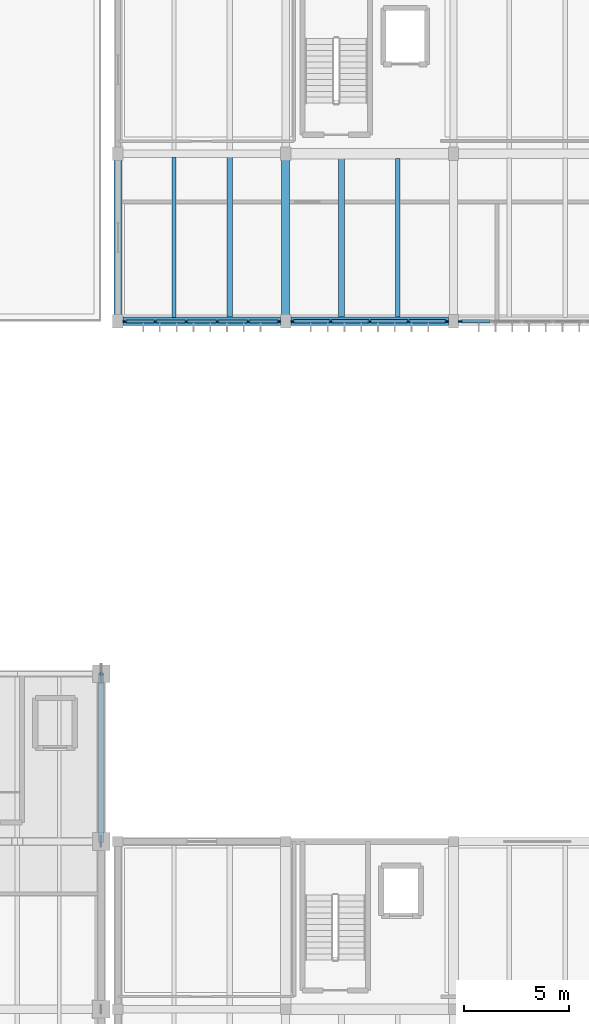
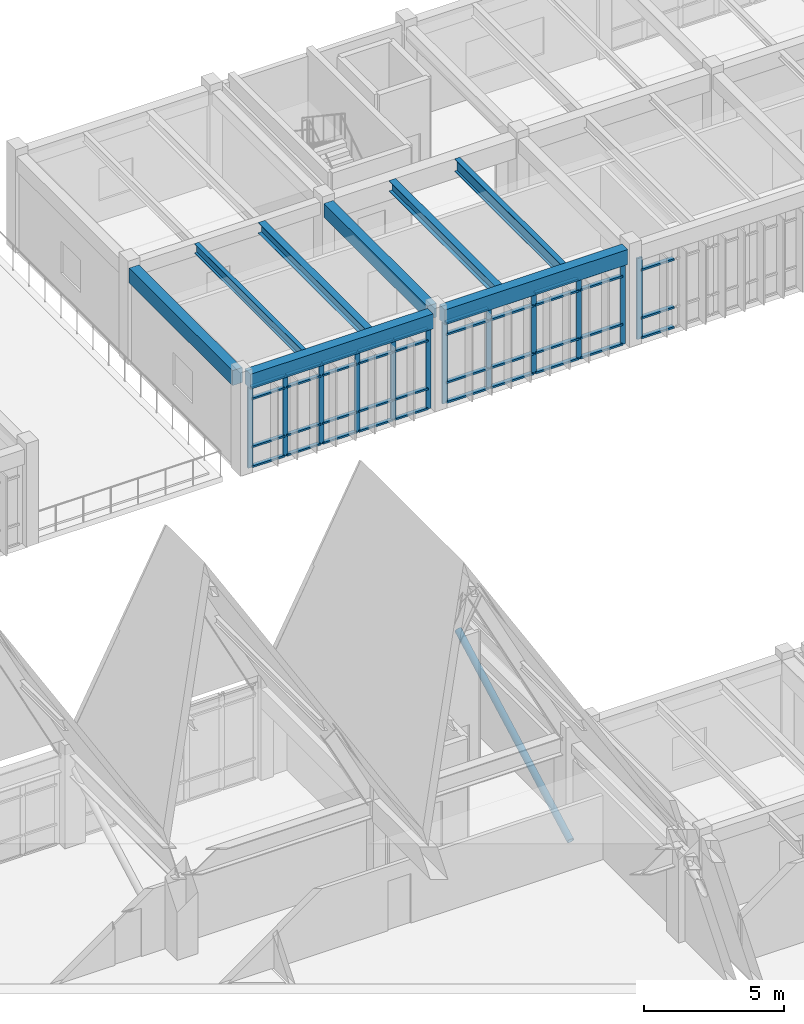
# One storey, part 21 of 72: 52 members, 8 beams, 3 elements without a shape of their own.
"""IFC4 building model written with IfcOpenShell, lengths in metres."""

from ifc_helpers import new_model, si_unit, direction, frame, origin, origin_2d, place, context, subcontext, project, spatial, rectangle, hollow_circle, i_section, extrude, material, material_profile, profile_set, type_object, element, aggregate, save


model = new_model("IFC4")

# Units and contexts
model_context = context("Model", 3, precision=1e-05, world=origin(), true_north=direction((0.0, 1.0)))
body_context = subcontext(model_context, "Body", "Model", "MODEL_VIEW")
ifc_project = project(units=[si_unit("LENGTHUNIT", "METRE"), si_unit("AREAUNIT", "SQUARE_METRE"), si_unit("VOLUMEUNIT", "CUBIC_METRE"), si_unit("PLANEANGLEUNIT", "RADIAN"), si_unit("MASSUNIT", "GRAM", prefix="KILO")], contexts=[model_context])

# Site, building, storey
site_placement = place(None, origin())
site = spatial("IfcSite", under=ifc_project, at=site_placement, CompositionType="ELEMENT")
building_placement = place(site_placement, origin())
building = spatial("IfcBuilding", under=site, at=building_placement, Name="Tlaxcora Railside Police Headquarters", CompositionType="ELEMENT")
storey_placement = place(building_placement, frame((0.0, 0.0, 13.5)))
storey = spatial("IfcBuildingStorey", under=building, at=storey_placement, Name="L03", CompositionType="ELEMENT", Elevation=13.5)

# Curtain wall, member
ifc_material_1 = material(Name="Thermally broken low-E insulated glazing", Category="glass")
curtain_wall_type_1 = type_object("IfcCurtainWallType", Name="Unitised Curtain Wall Assembly CW-23", PredefinedType="NOTDEFINED", material=ifc_material_1)
curtain_wall_1_placement = place(storey_placement, origin())
curtain_wall_1 = element("IfcCurtainWall", 1, at=curtain_wall_1_placement, inside=storey, type_object=curtain_wall_type_1, Name="V6 L03 curtain wall 164", PredefinedType="NOTDEFINED")
ifc_material_2 = material(Name="Anodised aluminium framing", Category="aluminium")
ifc_material_profile_1 = material_profile(ifc_material_2, rectangle(XDim=0.080078125, YDim=0.219970703125, at=origin_2d()), Name="AL80X220")
ifc_profile_set_1 = profile_set([ifc_material_profile_1], Name="Anodised aluminium framing")
member_type_1 = type_object("IfcMemberType", Name="Curtain Wall Mullion CW-31", PredefinedType="MULLION", material=ifc_profile_set_1)
member_1_placement = place(storey_placement, frame((119.139892578125, 76.800048828125, 0.0), z_axis=(0.0, 0.0, 1.0), x_axis=(0.0, 1.0, 0.0)))
member_1 = element("IfcMember", 2, at=member_1_placement, type_object=member_type_1, Name="CW mullion 1", PredefinedType="MULLION", context=body_context, shape_type="SweptSolid", body=[
    extrude(rectangle(XDim=0.080078125, YDim=0.219970703125, at=origin_2d()), origin(), (0.0, 0.0, 1.0), 3.52001953125),
])

# Curtain wall, members
curtain_wall_type_2 = type_object("IfcCurtainWallType", Name="Unitised Curtain Wall Assembly CW-15", PredefinedType="NOTDEFINED", material=ifc_material_1)
curtain_wall_2_placement = place(storey_placement, origin())
curtain_wall_2 = element("IfcCurtainWall", 3, at=curtain_wall_2_placement, inside=storey, type_object=curtain_wall_type_2, Name="V6 L03 curtain wall 162", PredefinedType="NOTDEFINED")
ifc_material_profile_2 = material_profile(ifc_material_2, rectangle(XDim=0.074951171875, YDim=0.199951171875, at=origin_2d()), Name="AL75X200")
ifc_profile_set_2 = profile_set([ifc_material_profile_2], Name="Anodised aluminium framing")
member_type_2 = type_object("IfcMemberType", Name="Curtain Wall Mullion CW-58", PredefinedType="MULLION", material=ifc_profile_set_2)
member_2_placement = place(storey_placement, frame((103.137451171875, 76.800048828125, 0.0), z_axis=(0.0, 0.0, 1.0), x_axis=(0.0, 1.0, 0.0)))
member_2 = element("IfcMember", 4, at=member_2_placement, type_object=member_type_2, Name="CW mullion 1", PredefinedType="MULLION", context=body_context, shape_type="SweptSolid", body=[
    extrude(rectangle(XDim=0.074951171875, YDim=0.199951171875, at=origin_2d()), origin(), (0.0, 0.0, 1.0), 3.52001953125),
])
member_3_placement = place(storey_placement, frame((104.580078125, 76.800048828125, 0.0), z_axis=(0.0, 0.0, 1.0), x_axis=(0.0, 1.0, 0.0)))
member_3 = element("IfcMember", 5, at=member_3_placement, type_object=member_type_2, Name="CW mullion 2", PredefinedType="MULLION", context=body_context, shape_type="SweptSolid", body=[
    extrude(rectangle(XDim=0.074951171875, YDim=0.199951171875, at=origin_2d()), origin(), (0.0, 0.0, 1.0), 3.52001953125),
])
member_4_placement = place(storey_placement, frame((106.06005859375, 76.800048828125, 0.0), z_axis=(0.0, 0.0, 1.0), x_axis=(0.0, 1.0, 0.0)))
member_4 = element("IfcMember", 6, at=member_4_placement, type_object=member_type_2, Name="CW mullion 3", PredefinedType="MULLION", context=body_context, shape_type="SweptSolid", body=[
    extrude(rectangle(XDim=0.074951171875, YDim=0.199951171875, at=origin_2d()), origin(), (0.0, 0.0, 1.0), 3.52001953125),
])
member_5_placement = place(storey_placement, frame((107.5400390625, 76.800048828125, 0.0), z_axis=(0.0, 0.0, 1.0), x_axis=(0.0, 1.0, 0.0)))
member_5 = element("IfcMember", 7, at=member_5_placement, type_object=member_type_2, Name="CW mullion 4", PredefinedType="MULLION", context=body_context, shape_type="SweptSolid", body=[
    extrude(rectangle(XDim=0.074951171875, YDim=0.199951171875, at=origin_2d()), origin(), (0.0, 0.0, 1.0), 3.52001953125),
])
member_6_placement = place(storey_placement, frame((109.02001953125, 76.800048828125, 0.0), z_axis=(0.0, 0.0, 1.0), x_axis=(0.0, 1.0, 0.0)))
member_6 = element("IfcMember", 8, at=member_6_placement, type_object=member_type_2, Name="CW mullion 5", PredefinedType="MULLION", context=body_context, shape_type="SweptSolid", body=[
    extrude(rectangle(XDim=0.074951171875, YDim=0.199951171875, at=origin_2d()), origin(), (0.0, 0.0, 1.0), 3.52001953125),
])
member_7_placement = place(storey_placement, frame((110.46240234375, 76.800048828125, 0.0), z_axis=(0.0, 0.0, 1.0), x_axis=(0.0, 1.0, 0.0)))
member_7 = element("IfcMember", 9, at=member_7_placement, type_object=member_type_2, Name="CW mullion 6", PredefinedType="MULLION", context=body_context, shape_type="SweptSolid", body=[
    extrude(rectangle(XDim=0.074951171875, YDim=0.199951171875, at=origin_2d()), origin(), (0.0, 0.0, 1.0), 3.52001953125),
])

curtain_wall_type_3 = type_object("IfcCurtainWallType", Name="Unitised Curtain Wall Assembly CW-83", PredefinedType="NOTDEFINED", material=ifc_material_1)
curtain_wall_3_placement = place(storey_placement, origin())
curtain_wall_3 = element("IfcCurtainWall", 10, at=curtain_wall_3_placement, inside=storey, type_object=curtain_wall_type_3, Name="V6 L03 curtain wall 163", PredefinedType="NOTDEFINED")
ifc_material_profile_3 = material_profile(ifc_material_2, rectangle(XDim=0.080078125, YDim=0.2099609375, at=origin_2d()), Name="AL80X210")
ifc_profile_set_3 = profile_set([ifc_material_profile_3], Name="Anodised aluminium framing")
member_type_3 = type_object("IfcMemberType", Name="Curtain Wall Mullion CW-76", PredefinedType="MULLION", material=ifc_profile_set_3)
member_8_placement = place(storey_placement, frame((111.139892578125, 76.800048828125, 0.0), z_axis=(0.0, 0.0, 1.0), x_axis=(0.0, 1.0, 0.0)))
member_8 = element("IfcMember", 11, at=member_8_placement, type_object=member_type_3, Name="CW mullion 1", PredefinedType="MULLION", context=body_context, shape_type="SweptSolid", body=[
    extrude(rectangle(XDim=0.080078125, YDim=0.2099609375, at=origin_2d()), origin(), (0.0, 0.0, 1.0), 3.52001953125),
])
member_9_placement = place(storey_placement, frame((112.949951171875, 76.800048828125, 0.0), z_axis=(0.0, 0.0, 1.0), x_axis=(0.0, 1.0, 0.0)))
member_9 = element("IfcMember", 12, at=member_9_placement, type_object=member_type_3, Name="CW mullion 2", PredefinedType="MULLION", context=body_context, shape_type="SweptSolid", body=[
    extrude(rectangle(XDim=0.080078125, YDim=0.2099609375, at=origin_2d()), origin(), (0.0, 0.0, 1.0), 3.52001953125),
])
member_10_placement = place(storey_placement, frame((114.800048828125, 76.800048828125, 0.0), z_axis=(0.0, 0.0, 1.0), x_axis=(0.0, 1.0, 0.0)))
member_10 = element("IfcMember", 13, at=member_10_placement, type_object=member_type_3, Name="CW mullion 3", PredefinedType="MULLION", context=body_context, shape_type="SweptSolid", body=[
    extrude(rectangle(XDim=0.080078125, YDim=0.2099609375, at=origin_2d()), origin(), (0.0, 0.0, 1.0), 3.52001953125),
])
member_11_placement = place(storey_placement, frame((116.64990234375, 76.800048828125, 0.0), z_axis=(0.0, 0.0, 1.0), x_axis=(0.0, 1.0, 0.0)))
member_11 = element("IfcMember", 14, at=member_11_placement, type_object=member_type_3, Name="CW mullion 4", PredefinedType="MULLION", context=body_context, shape_type="SweptSolid", body=[
    extrude(rectangle(XDim=0.080078125, YDim=0.2099609375, at=origin_2d()), origin(), (0.0, 0.0, 1.0), 3.52001953125),
])
member_12_placement = place(storey_placement, frame((118.4599609375, 76.800048828125, 0.0), z_axis=(0.0, 0.0, 1.0), x_axis=(0.0, 1.0, 0.0)))
member_12 = element("IfcMember", 15, at=member_12_placement, type_object=member_type_3, Name="CW mullion 5", PredefinedType="MULLION", context=body_context, shape_type="SweptSolid", body=[
    extrude(rectangle(XDim=0.080078125, YDim=0.2099609375, at=origin_2d()), origin(), (0.0, 0.0, 1.0), 3.52001953125),
])

# Member
ifc_material_profile_4 = material_profile(ifc_material_2, rectangle(XDim=0.14990234375, YDim=0.074951171875, at=origin_2d()), Name="AL75X150")
ifc_profile_set_4 = profile_set([ifc_material_profile_4], Name="Anodised aluminium framing")
member_type_4 = type_object("IfcMemberType", Name="Curtain Wall Transom CW-28", PredefinedType="USERDEFINED", material=ifc_profile_set_4)
member_13_placement = place(storey_placement, frame((103.175048828125, 76.800048828125, 0.03759765625), z_axis=(1.0, 0.0, 0.0), x_axis=(0.0, 1.0, 0.0)))
member_13 = element("IfcMember", 16, at=member_13_placement, type_object=member_type_4, Name="CW transom 1.1", ObjectType="TRANSOM", PredefinedType="USERDEFINED", context=body_context, shape_type="SweptSolid", body=[
    extrude(rectangle(XDim=0.14990234375, YDim=0.074951171875, at=origin_2d()), origin(), (0.0, 0.0, 1.0), 1.367431640625),
])

member_14_placement = place(storey_placement, frame((103.175048828125, 76.800048828125, 0.89990234375), z_axis=(1.0, 0.0, 0.0), x_axis=(0.0, 1.0, 0.0)))
member_14 = element("IfcMember", 17, at=member_14_placement, type_object=member_type_4, Name="CW transom 1.2", ObjectType="TRANSOM", PredefinedType="USERDEFINED", context=body_context, shape_type="SweptSolid", body=[
    extrude(rectangle(XDim=0.14990234375, YDim=0.074951171875, at=origin_2d()), origin(), (0.0, 0.0, 1.0), 1.367431640625),
])

member_15_placement = place(storey_placement, frame((103.175048828125, 76.800048828125, 2.989990234375), z_axis=(1.0, 0.0, 0.0), x_axis=(0.0, 1.0, 0.0)))
member_15 = element("IfcMember", 18, at=member_15_placement, type_object=member_type_4, Name="CW transom 1.3", ObjectType="TRANSOM", PredefinedType="USERDEFINED", context=body_context, shape_type="SweptSolid", body=[
    extrude(rectangle(XDim=0.14990234375, YDim=0.074951171875, at=origin_2d()), origin(), (0.0, 0.0, 1.0), 1.367431640625),
])

member_16_placement = place(storey_placement, frame((103.175048828125, 76.800048828125, 3.482421875), z_axis=(1.0, 0.0, 0.0), x_axis=(0.0, 1.0, 0.0)))
member_16 = element("IfcMember", 19, at=member_16_placement, type_object=member_type_4, Name="CW transom 1.4", ObjectType="TRANSOM", PredefinedType="USERDEFINED", context=body_context, shape_type="SweptSolid", body=[
    extrude(rectangle(XDim=0.14990234375, YDim=0.074951171875, at=origin_2d()), origin(), (0.0, 0.0, 1.0), 1.367431640625),
])

member_17_placement = place(storey_placement, frame((104.617431640625, 76.800048828125, 0.03759765625), z_axis=(1.0, 0.0, 0.0), x_axis=(0.0, 1.0, 0.0)))
member_17 = element("IfcMember", 20, at=member_17_placement, type_object=member_type_4, Name="CW transom 2.1", ObjectType="TRANSOM", PredefinedType="USERDEFINED", context=body_context, shape_type="SweptSolid", body=[
    extrude(rectangle(XDim=0.14990234375, YDim=0.074951171875, at=origin_2d()), origin(), (0.0, 0.0, 1.0), 1.405029296875),
])

member_18_placement = place(storey_placement, frame((104.617431640625, 76.800048828125, 0.89990234375), z_axis=(1.0, 0.0, 0.0), x_axis=(0.0, 1.0, 0.0)))
member_18 = element("IfcMember", 21, at=member_18_placement, type_object=member_type_4, Name="CW transom 2.2", ObjectType="TRANSOM", PredefinedType="USERDEFINED", context=body_context, shape_type="SweptSolid", body=[
    extrude(rectangle(XDim=0.14990234375, YDim=0.074951171875, at=origin_2d()), origin(), (0.0, 0.0, 1.0), 1.405029296875),
])

member_19_placement = place(storey_placement, frame((104.617431640625, 76.800048828125, 2.989990234375), z_axis=(1.0, 0.0, 0.0), x_axis=(0.0, 1.0, 0.0)))
member_19 = element("IfcMember", 22, at=member_19_placement, type_object=member_type_4, Name="CW transom 2.3", ObjectType="TRANSOM", PredefinedType="USERDEFINED", context=body_context, shape_type="SweptSolid", body=[
    extrude(rectangle(XDim=0.14990234375, YDim=0.074951171875, at=origin_2d()), origin(), (0.0, 0.0, 1.0), 1.405029296875),
])

member_20_placement = place(storey_placement, frame((104.617431640625, 76.800048828125, 3.482421875), z_axis=(1.0, 0.0, 0.0), x_axis=(0.0, 1.0, 0.0)))
member_20 = element("IfcMember", 23, at=member_20_placement, type_object=member_type_4, Name="CW transom 2.4", ObjectType="TRANSOM", PredefinedType="USERDEFINED", context=body_context, shape_type="SweptSolid", body=[
    extrude(rectangle(XDim=0.14990234375, YDim=0.074951171875, at=origin_2d()), origin(), (0.0, 0.0, 1.0), 1.405029296875),
])

member_21_placement = place(storey_placement, frame((106.097412109375, 76.800048828125, 0.03759765625), z_axis=(1.0, 0.0, 0.0), x_axis=(0.0, 1.0, 0.0)))
member_21 = element("IfcMember", 24, at=member_21_placement, type_object=member_type_4, Name="CW transom 3.1", ObjectType="TRANSOM", PredefinedType="USERDEFINED", context=body_context, shape_type="SweptSolid", body=[
    extrude(rectangle(XDim=0.14990234375, YDim=0.074951171875, at=origin_2d()), origin(), (0.0, 0.0, 1.0), 1.405029296875),
])

member_22_placement = place(storey_placement, frame((106.097412109375, 76.800048828125, 0.89990234375), z_axis=(1.0, 0.0, 0.0), x_axis=(0.0, 1.0, 0.0)))
member_22 = element("IfcMember", 25, at=member_22_placement, type_object=member_type_4, Name="CW transom 3.2", ObjectType="TRANSOM", PredefinedType="USERDEFINED", context=body_context, shape_type="SweptSolid", body=[
    extrude(rectangle(XDim=0.14990234375, YDim=0.074951171875, at=origin_2d()), origin(), (0.0, 0.0, 1.0), 1.405029296875),
])

member_23_placement = place(storey_placement, frame((106.097412109375, 76.800048828125, 2.989990234375), z_axis=(1.0, 0.0, 0.0), x_axis=(0.0, 1.0, 0.0)))
member_23 = element("IfcMember", 26, at=member_23_placement, type_object=member_type_4, Name="CW transom 3.3", ObjectType="TRANSOM", PredefinedType="USERDEFINED", context=body_context, shape_type="SweptSolid", body=[
    extrude(rectangle(XDim=0.14990234375, YDim=0.074951171875, at=origin_2d()), origin(), (0.0, 0.0, 1.0), 1.405029296875),
])

member_24_placement = place(storey_placement, frame((106.097412109375, 76.800048828125, 3.482421875), z_axis=(1.0, 0.0, 0.0), x_axis=(0.0, 1.0, 0.0)))
member_24 = element("IfcMember", 27, at=member_24_placement, type_object=member_type_4, Name="CW transom 3.4", ObjectType="TRANSOM", PredefinedType="USERDEFINED", context=body_context, shape_type="SweptSolid", body=[
    extrude(rectangle(XDim=0.14990234375, YDim=0.074951171875, at=origin_2d()), origin(), (0.0, 0.0, 1.0), 1.405029296875),
])

member_25_placement = place(storey_placement, frame((107.577392578125, 76.800048828125, 0.03759765625), z_axis=(1.0, 0.0, 0.0), x_axis=(0.0, 1.0, 0.0)))
member_25 = element("IfcMember", 28, at=member_25_placement, type_object=member_type_4, Name="CW transom 4.1", ObjectType="TRANSOM", PredefinedType="USERDEFINED", context=body_context, shape_type="SweptSolid", body=[
    extrude(rectangle(XDim=0.14990234375, YDim=0.074951171875, at=origin_2d()), origin(), (0.0, 0.0, 1.0), 1.405029296875),
])

member_26_placement = place(storey_placement, frame((107.577392578125, 76.800048828125, 0.89990234375), z_axis=(1.0, 0.0, 0.0), x_axis=(0.0, 1.0, 0.0)))
member_26 = element("IfcMember", 29, at=member_26_placement, type_object=member_type_4, Name="CW transom 4.2", ObjectType="TRANSOM", PredefinedType="USERDEFINED", context=body_context, shape_type="SweptSolid", body=[
    extrude(rectangle(XDim=0.14990234375, YDim=0.074951171875, at=origin_2d()), origin(), (0.0, 0.0, 1.0), 1.405029296875),
])

member_27_placement = place(storey_placement, frame((107.577392578125, 76.800048828125, 2.989990234375), z_axis=(1.0, 0.0, 0.0), x_axis=(0.0, 1.0, 0.0)))
member_27 = element("IfcMember", 30, at=member_27_placement, type_object=member_type_4, Name="CW transom 4.3", ObjectType="TRANSOM", PredefinedType="USERDEFINED", context=body_context, shape_type="SweptSolid", body=[
    extrude(rectangle(XDim=0.14990234375, YDim=0.074951171875, at=origin_2d()), origin(), (0.0, 0.0, 1.0), 1.405029296875),
])

member_28_placement = place(storey_placement, frame((107.577392578125, 76.800048828125, 3.482421875), z_axis=(1.0, 0.0, 0.0), x_axis=(0.0, 1.0, 0.0)))
member_28 = element("IfcMember", 31, at=member_28_placement, type_object=member_type_4, Name="CW transom 4.4", ObjectType="TRANSOM", PredefinedType="USERDEFINED", context=body_context, shape_type="SweptSolid", body=[
    extrude(rectangle(XDim=0.14990234375, YDim=0.074951171875, at=origin_2d()), origin(), (0.0, 0.0, 1.0), 1.405029296875),
])

member_29_placement = place(storey_placement, frame((109.0576171875, 76.800048828125, 0.03759765625), z_axis=(1.0, 0.0, 0.0), x_axis=(0.0, 1.0, 0.0)))
member_29 = element("IfcMember", 32, at=member_29_placement, type_object=member_type_4, Name="CW transom 5.1", ObjectType="TRANSOM", PredefinedType="USERDEFINED", context=body_context, shape_type="SweptSolid", body=[
    extrude(rectangle(XDim=0.14990234375, YDim=0.074951171875, at=origin_2d()), origin(), (0.0, 0.0, 1.0), 1.367431640625),
])

member_30_placement = place(storey_placement, frame((109.0576171875, 76.800048828125, 0.89990234375), z_axis=(1.0, 0.0, 0.0), x_axis=(0.0, 1.0, 0.0)))
member_30 = element("IfcMember", 33, at=member_30_placement, type_object=member_type_4, Name="CW transom 5.2", ObjectType="TRANSOM", PredefinedType="USERDEFINED", context=body_context, shape_type="SweptSolid", body=[
    extrude(rectangle(XDim=0.14990234375, YDim=0.074951171875, at=origin_2d()), origin(), (0.0, 0.0, 1.0), 1.367431640625),
])

member_31_placement = place(storey_placement, frame((109.0576171875, 76.800048828125, 2.989990234375), z_axis=(1.0, 0.0, 0.0), x_axis=(0.0, 1.0, 0.0)))
member_31 = element("IfcMember", 34, at=member_31_placement, type_object=member_type_4, Name="CW transom 5.3", ObjectType="TRANSOM", PredefinedType="USERDEFINED", context=body_context, shape_type="SweptSolid", body=[
    extrude(rectangle(XDim=0.14990234375, YDim=0.074951171875, at=origin_2d()), origin(), (0.0, 0.0, 1.0), 1.367431640625),
])

member_32_placement = place(storey_placement, frame((109.0576171875, 76.800048828125, 3.482421875), z_axis=(1.0, 0.0, 0.0), x_axis=(0.0, 1.0, 0.0)))
member_32 = element("IfcMember", 35, at=member_32_placement, type_object=member_type_4, Name="CW transom 5.4", ObjectType="TRANSOM", PredefinedType="USERDEFINED", context=body_context, shape_type="SweptSolid", body=[
    extrude(rectangle(XDim=0.14990234375, YDim=0.074951171875, at=origin_2d()), origin(), (0.0, 0.0, 1.0), 1.367431640625),
])

aggregate(curtain_wall_2, [member_2, member_3, member_4, member_5, member_6, member_7, member_13, member_14, member_15, member_16, member_17, member_18, member_19, member_20, member_21, member_22, member_23, member_24, member_25, member_26, member_27, member_28, member_29, member_30, member_31, member_32])

ifc_material_profile_5 = material_profile(ifc_material_2, rectangle(XDim=0.1650390625, YDim=0.080078125, at=origin_2d()), Name="AL80X165")
ifc_profile_set_5 = profile_set([ifc_material_profile_5], Name="Anodised aluminium framing")
member_type_5 = type_object("IfcMemberType", Name="Curtain Wall Transom CW-62", PredefinedType="USERDEFINED", material=ifc_profile_set_5)
member_33_placement = place(storey_placement, frame((119.179931640625, 76.800048828125, 0.0400390625), z_axis=(1.0, 0.0, 0.0), x_axis=(0.0, 1.0, 0.0)))
member_33 = element("IfcMember", 36, at=member_33_placement, type_object=member_type_5, Name="CW transom 1.1", ObjectType="TRANSOM", PredefinedType="USERDEFINED", context=body_context, shape_type="SweptSolid", body=[
    extrude(rectangle(XDim=0.1650390625, YDim=0.080078125, at=origin_2d()), origin(), (0.0, 0.0, 1.0), 1.360107421875),
])

member_34_placement = place(storey_placement, frame((119.179931640625, 76.800048828125, 0.89990234375), z_axis=(1.0, 0.0, 0.0), x_axis=(0.0, 1.0, 0.0)))
member_34 = element("IfcMember", 37, at=member_34_placement, type_object=member_type_5, Name="CW transom 1.2", ObjectType="TRANSOM", PredefinedType="USERDEFINED", context=body_context, shape_type="SweptSolid", body=[
    extrude(rectangle(XDim=0.1650390625, YDim=0.080078125, at=origin_2d()), origin(), (0.0, 0.0, 1.0), 1.360107421875),
])

member_35_placement = place(storey_placement, frame((119.179931640625, 76.800048828125, 2.989990234375), z_axis=(1.0, 0.0, 0.0), x_axis=(0.0, 1.0, 0.0)))
member_35 = element("IfcMember", 38, at=member_35_placement, type_object=member_type_5, Name="CW transom 1.3", ObjectType="TRANSOM", PredefinedType="USERDEFINED", context=body_context, shape_type="SweptSolid", body=[
    extrude(rectangle(XDim=0.1650390625, YDim=0.080078125, at=origin_2d()), origin(), (0.0, 0.0, 1.0), 1.360107421875),
])

aggregate(curtain_wall_1, [member_1, member_33, member_34, member_35])

ifc_material_profile_6 = material_profile(ifc_material_2, rectangle(XDim=0.159912109375, YDim=0.080078125, at=origin_2d()), Name="AL80X160")
ifc_profile_set_6 = profile_set([ifc_material_profile_6], Name="Anodised aluminium framing")
member_type_6 = type_object("IfcMemberType", Name="Curtain Wall Transom CW-82", PredefinedType="USERDEFINED", material=ifc_profile_set_6)
member_36_placement = place(storey_placement, frame((111.179931640625, 76.800048828125, 0.0400390625), z_axis=(1.0, 0.0, 0.0), x_axis=(0.0, 1.0, 0.0)))
member_36 = element("IfcMember", 39, at=member_36_placement, type_object=member_type_6, Name="CW transom 1.1", ObjectType="TRANSOM", PredefinedType="USERDEFINED", context=body_context, shape_type="SweptSolid", body=[
    extrude(rectangle(XDim=0.159912109375, YDim=0.080078125, at=origin_2d()), origin(), (0.0, 0.0, 1.0), 1.72998046875),
])

member_37_placement = place(storey_placement, frame((111.179931640625, 76.800048828125, 0.89990234375), z_axis=(1.0, 0.0, 0.0), x_axis=(0.0, 1.0, 0.0)))
member_37 = element("IfcMember", 40, at=member_37_placement, type_object=member_type_6, Name="CW transom 1.2", ObjectType="TRANSOM", PredefinedType="USERDEFINED", context=body_context, shape_type="SweptSolid", body=[
    extrude(rectangle(XDim=0.159912109375, YDim=0.080078125, at=origin_2d()), origin(), (0.0, 0.0, 1.0), 1.72998046875),
])

member_38_placement = place(storey_placement, frame((111.179931640625, 76.800048828125, 2.989990234375), z_axis=(1.0, 0.0, 0.0), x_axis=(0.0, 1.0, 0.0)))
member_38 = element("IfcMember", 41, at=member_38_placement, type_object=member_type_6, Name="CW transom 1.3", ObjectType="TRANSOM", PredefinedType="USERDEFINED", context=body_context, shape_type="SweptSolid", body=[
    extrude(rectangle(XDim=0.159912109375, YDim=0.080078125, at=origin_2d()), origin(), (0.0, 0.0, 1.0), 1.72998046875),
])

member_39_placement = place(storey_placement, frame((111.179931640625, 76.800048828125, 3.47998046875), z_axis=(1.0, 0.0, 0.0), x_axis=(0.0, 1.0, 0.0)))
member_39 = element("IfcMember", 42, at=member_39_placement, type_object=member_type_6, Name="CW transom 1.4", ObjectType="TRANSOM", PredefinedType="USERDEFINED", context=body_context, shape_type="SweptSolid", body=[
    extrude(rectangle(XDim=0.159912109375, YDim=0.080078125, at=origin_2d()), origin(), (0.0, 0.0, 1.0), 1.72998046875),
])

member_40_placement = place(storey_placement, frame((112.989990234375, 76.800048828125, 0.0400390625), z_axis=(1.0, 0.0, 0.0), x_axis=(0.0, 1.0, 0.0)))
member_40 = element("IfcMember", 43, at=member_40_placement, type_object=member_type_6, Name="CW transom 2.1", ObjectType="TRANSOM", PredefinedType="USERDEFINED", context=body_context, shape_type="SweptSolid", body=[
    extrude(rectangle(XDim=0.159912109375, YDim=0.080078125, at=origin_2d()), origin(), (0.0, 0.0, 1.0), 1.77001953125),
])

member_41_placement = place(storey_placement, frame((112.989990234375, 76.800048828125, 0.89990234375), z_axis=(1.0, 0.0, 0.0), x_axis=(0.0, 1.0, 0.0)))
member_41 = element("IfcMember", 44, at=member_41_placement, type_object=member_type_6, Name="CW transom 2.2", ObjectType="TRANSOM", PredefinedType="USERDEFINED", context=body_context, shape_type="SweptSolid", body=[
    extrude(rectangle(XDim=0.159912109375, YDim=0.080078125, at=origin_2d()), origin(), (0.0, 0.0, 1.0), 1.77001953125),
])

member_42_placement = place(storey_placement, frame((112.989990234375, 76.800048828125, 2.989990234375), z_axis=(1.0, 0.0, 0.0), x_axis=(0.0, 1.0, 0.0)))
member_42 = element("IfcMember", 45, at=member_42_placement, type_object=member_type_6, Name="CW transom 2.3", ObjectType="TRANSOM", PredefinedType="USERDEFINED", context=body_context, shape_type="SweptSolid", body=[
    extrude(rectangle(XDim=0.159912109375, YDim=0.080078125, at=origin_2d()), origin(), (0.0, 0.0, 1.0), 1.77001953125),
])

member_43_placement = place(storey_placement, frame((112.989990234375, 76.800048828125, 3.47998046875), z_axis=(1.0, 0.0, 0.0), x_axis=(0.0, 1.0, 0.0)))
member_43 = element("IfcMember", 46, at=member_43_placement, type_object=member_type_6, Name="CW transom 2.4", ObjectType="TRANSOM", PredefinedType="USERDEFINED", context=body_context, shape_type="SweptSolid", body=[
    extrude(rectangle(XDim=0.159912109375, YDim=0.080078125, at=origin_2d()), origin(), (0.0, 0.0, 1.0), 1.77001953125),
])

member_44_placement = place(storey_placement, frame((114.840087890625, 76.800048828125, 0.0400390625), z_axis=(1.0, 0.0, 0.0), x_axis=(0.0, 1.0, 0.0)))
member_44 = element("IfcMember", 47, at=member_44_placement, type_object=member_type_6, Name="CW transom 3.1", ObjectType="TRANSOM", PredefinedType="USERDEFINED", context=body_context, shape_type="SweptSolid", body=[
    extrude(rectangle(XDim=0.159912109375, YDim=0.080078125, at=origin_2d()), origin(), (0.0, 0.0, 1.0), 1.77001953125),
])

member_45_placement = place(storey_placement, frame((114.840087890625, 76.800048828125, 0.89990234375), z_axis=(1.0, 0.0, 0.0), x_axis=(0.0, 1.0, 0.0)))
member_45 = element("IfcMember", 48, at=member_45_placement, type_object=member_type_6, Name="CW transom 3.2", ObjectType="TRANSOM", PredefinedType="USERDEFINED", context=body_context, shape_type="SweptSolid", body=[
    extrude(rectangle(XDim=0.159912109375, YDim=0.080078125, at=origin_2d()), origin(), (0.0, 0.0, 1.0), 1.77001953125),
])

member_46_placement = place(storey_placement, frame((114.840087890625, 76.800048828125, 2.989990234375), z_axis=(1.0, 0.0, 0.0), x_axis=(0.0, 1.0, 0.0)))
member_46 = element("IfcMember", 49, at=member_46_placement, type_object=member_type_6, Name="CW transom 3.3", ObjectType="TRANSOM", PredefinedType="USERDEFINED", context=body_context, shape_type="SweptSolid", body=[
    extrude(rectangle(XDim=0.159912109375, YDim=0.080078125, at=origin_2d()), origin(), (0.0, 0.0, 1.0), 1.77001953125),
])

member_47_placement = place(storey_placement, frame((114.840087890625, 76.800048828125, 3.47998046875), z_axis=(1.0, 0.0, 0.0), x_axis=(0.0, 1.0, 0.0)))
member_47 = element("IfcMember", 50, at=member_47_placement, type_object=member_type_6, Name="CW transom 3.4", ObjectType="TRANSOM", PredefinedType="USERDEFINED", context=body_context, shape_type="SweptSolid", body=[
    extrude(rectangle(XDim=0.159912109375, YDim=0.080078125, at=origin_2d()), origin(), (0.0, 0.0, 1.0), 1.77001953125),
])

member_48_placement = place(storey_placement, frame((116.68994140625, 76.800048828125, 0.0400390625), z_axis=(1.0, 0.0, 0.0), x_axis=(0.0, 1.0, 0.0)))
member_48 = element("IfcMember", 51, at=member_48_placement, type_object=member_type_6, Name="CW transom 4.1", ObjectType="TRANSOM", PredefinedType="USERDEFINED", context=body_context, shape_type="SweptSolid", body=[
    extrude(rectangle(XDim=0.159912109375, YDim=0.080078125, at=origin_2d()), origin(), (0.0, 0.0, 1.0), 1.72998046875),
])

member_49_placement = place(storey_placement, frame((116.68994140625, 76.800048828125, 0.89990234375), z_axis=(1.0, 0.0, 0.0), x_axis=(0.0, 1.0, 0.0)))
member_49 = element("IfcMember", 52, at=member_49_placement, type_object=member_type_6, Name="CW transom 4.2", ObjectType="TRANSOM", PredefinedType="USERDEFINED", context=body_context, shape_type="SweptSolid", body=[
    extrude(rectangle(XDim=0.159912109375, YDim=0.080078125, at=origin_2d()), origin(), (0.0, 0.0, 1.0), 1.72998046875),
])

member_50_placement = place(storey_placement, frame((116.68994140625, 76.800048828125, 2.989990234375), z_axis=(1.0, 0.0, 0.0), x_axis=(0.0, 1.0, 0.0)))
member_50 = element("IfcMember", 53, at=member_50_placement, type_object=member_type_6, Name="CW transom 4.3", ObjectType="TRANSOM", PredefinedType="USERDEFINED", context=body_context, shape_type="SweptSolid", body=[
    extrude(rectangle(XDim=0.159912109375, YDim=0.080078125, at=origin_2d()), origin(), (0.0, 0.0, 1.0), 1.72998046875),
])

member_51_placement = place(storey_placement, frame((116.68994140625, 76.800048828125, 3.47998046875), z_axis=(1.0, 0.0, 0.0), x_axis=(0.0, 1.0, 0.0)))
member_51 = element("IfcMember", 54, at=member_51_placement, type_object=member_type_6, Name="CW transom 4.4", ObjectType="TRANSOM", PredefinedType="USERDEFINED", context=body_context, shape_type="SweptSolid", body=[
    extrude(rectangle(XDim=0.159912109375, YDim=0.080078125, at=origin_2d()), origin(), (0.0, 0.0, 1.0), 1.72998046875),
])

aggregate(curtain_wall_3, [member_8, member_9, member_10, member_11, member_12, member_36, member_37, member_38, member_39, member_40, member_41, member_42, member_43, member_44, member_45, member_46, member_47, member_48, member_49, member_50, member_51])

ifc_material_3 = material(Name="Steel ASTM A992 Grade 50", Category="steel")
ifc_material_profile_7 = material_profile(ifc_material_3, hollow_circle(Radius=0.136474609375, WallThickness=0.011962890625, at=origin_2d()), Name="CHS273X12")
ifc_profile_set_7 = profile_set([ifc_material_profile_7], Name="Steel ASTM A992 Grade 50")
member_type_7 = type_object("IfcMemberType", Name="Diagonal Brace Member MB-16", PredefinedType="BRACE", material=ifc_profile_set_7)
member_52_placement = place(storey_placement, frame((102.0, 60.0, 3.52001953125), z_axis=(0.0, -0.879902254176, -0.475154735951), x_axis=(1.0, 0.0, 0.0)))
element("IfcMember", 55, at=member_52_placement, inside=storey, type_object=member_type_7, Name="Truss TR-4 L03 web diagonal 1", PredefinedType="BRACE", context=body_context, shape_type="SweptSolid", body=[
    extrude(hollow_circle(Radius=0.136474609375, WallThickness=0.011962890625, at=origin_2d()), origin(), (0.0, 0.0, 1.0), 9.092041015625),
])

# Beams
ifc_material_4 = material(Name="Concrete C40/50", Category="concrete")
ifc_material_profile_8 = material_profile(ifc_material_4, rectangle(XDim=0.39990234375, YDim=0.64990234375, at=origin_2d()), Name="RC400X650")
ifc_profile_set_8 = profile_set([ifc_material_profile_8], Name="Concrete C40/50")
beam_type_1 = type_object("IfcBeamType", Name="Perimeter Spandrel Beam BM-46", PredefinedType="SPANDREL", material=ifc_profile_set_8)
for number, where, z_axis, x_axis, name in (
    (56, (103.0400390625, 76.800048828125, 3.864990234375), (1.0, 0.0, 0.0), (0.0, 1.0, 0.0), "V6 L03 X-girder Y=76.8"),
    (57, (111.0400390625, 76.800048828125, 3.864990234375), (1.0, 0.0, 0.0), (0.0, 1.0, 0.0), "V6 L03 X-girder Y=76.8"),
):
    element("IfcBeam", number, at=place(storey_placement, frame(where, z_axis=z_axis, x_axis=x_axis)), inside=storey, type_object=beam_type_1, Name=name, PredefinedType="SPANDREL", context=body_context, shape_type="SweptSolid", body=[
        extrude(rectangle(XDim=0.39990234375, YDim=0.64990234375, at=origin_2d()), origin(), (0.0, 0.0, 1.0), 7.52001953125),
    ])
beam_1_placement = place(storey_placement, frame((102.800048828125, 77.114990234375, 3.864990234375), z_axis=(0.0, 1.0, 0.0), x_axis=(-1.0, 0.0, 0.0)))
element("IfcBeam", 58, at=beam_1_placement, inside=storey, type_object=beam_type_1, Name="V6 L03 Y-girder X=102.8", PredefinedType="SPANDREL", context=body_context, shape_type="SweptSolid", body=[
    extrude(rectangle(XDim=0.39990234375, YDim=0.64990234375, at=origin_2d()), origin(), (0.0, 0.0, 1.0), 7.3701171875),
])
ifc_material_profile_9 = material_profile(ifc_material_4, rectangle(XDim=0.3798828125, YDim=0.60009765625, at=origin_2d()), Name="RC380X600")
ifc_profile_set_9 = profile_set([ifc_material_profile_9], Name="Concrete C40/50")
beam_type_2 = type_object("IfcBeamType", Name="Primary Frame Girder BM-22", PredefinedType="BEAM", material=ifc_profile_set_9)
beam_2_placement = place(storey_placement, frame((110.800048828125, 77.114990234375, 3.889892578125), z_axis=(0.0, 1.0, 0.0), x_axis=(-1.0, 0.0, 0.0)))
element("IfcBeam", 59, at=beam_2_placement, inside=storey, type_object=beam_type_2, Name="V6 L03 Y-girder X=110.8", PredefinedType="BEAM", context=body_context, shape_type="SweptSolid", body=[
    extrude(rectangle(XDim=0.3798828125, YDim=0.60009765625, at=origin_2d()), origin(), (0.0, 0.0, 1.0), 7.3701171875),
])
ifc_material_profile_10 = material_profile(ifc_material_3, i_section(OverallWidth=0.280029296875, OverallDepth=0.4619140625, WebThickness=0.0107421875, FlangeThickness=0.017333984375, at=origin_2d()), Name="W18X76")
ifc_profile_set_10 = profile_set([ifc_material_profile_10], Name="Steel ASTM A992 Grade 50")
beam_type_3 = type_object("IfcBeamType", Name="Secondary Floor Joist BM-44", PredefinedType="JOIST", material=ifc_profile_set_10)
beam_3_placement = place(storey_placement, frame((108.13330078125, 76.991943359375, 3.958984375), z_axis=(0.0, 1.0, 0.0), x_axis=(-1.0, 0.0, 0.0)))
element("IfcBeam", 60, at=beam_3_placement, inside=storey, type_object=beam_type_3, Name="V6 L03 floor joist X=108.13", PredefinedType="JOIST", context=body_context, shape_type="SweptSolid", body=[
    extrude(i_section(OverallWidth=0.280029296875, OverallDepth=0.4619140625, WebThickness=0.0107421875, FlangeThickness=0.017333984375, at=origin_2d()), origin(), (0.0, 0.0, 1.0), 7.64111328125),
])
beam_4_placement = place(storey_placement, frame((113.466796875, 76.991943359375, 3.958984375), z_axis=(0.0, 1.0, 0.0), x_axis=(-1.0, 0.0, 0.0)))
element("IfcBeam", 61, at=beam_4_placement, inside=storey, type_object=beam_type_3, Name="V6 L03 floor joist X=113.47", PredefinedType="JOIST", context=body_context, shape_type="SweptSolid", body=[
    extrude(i_section(OverallWidth=0.280029296875, OverallDepth=0.4619140625, WebThickness=0.0107421875, FlangeThickness=0.017333984375, at=origin_2d()), origin(), (0.0, 0.0, 1.0), 7.566162109375),
])
ifc_material_profile_11 = material_profile(ifc_material_3, i_section(OverallWidth=0.180908203125, OverallDepth=0.4169921875, WebThickness=0.010009765625, FlangeThickness=0.018310546875, at=origin_2d()), Name="W16X57")
ifc_profile_set_11 = profile_set([ifc_material_profile_11], Name="Steel ASTM A992 Grade 50")
beam_type_4 = type_object("IfcBeamType", Name="Secondary Floor Joist BM-84", PredefinedType="JOIST", material=ifc_profile_set_11)
beam_5_placement = place(storey_placement, frame((105.466796875, 76.991943359375, 3.9814453125), z_axis=(0.0, 1.0, 0.0), x_axis=(-1.0, 0.0, 0.0)))
element("IfcBeam", 62, at=beam_5_placement, inside=storey, type_object=beam_type_4, Name="V6 L03 floor joist X=105.47", PredefinedType="JOIST", context=body_context, shape_type="SweptSolid", body=[
    extrude(i_section(OverallWidth=0.180908203125, OverallDepth=0.4169921875, WebThickness=0.010009765625, FlangeThickness=0.018310546875, at=origin_2d()), origin(), (0.0, 0.0, 1.0), 7.64111328125),
])
ifc_material_profile_12 = material_profile(ifc_material_3, i_section(OverallWidth=0.214111328125, OverallDepth=0.549072265625, WebThickness=0.0146484375, FlangeThickness=0.023681640625, at=origin_2d()), Name="W21X93")
ifc_profile_set_12 = profile_set([ifc_material_profile_12], Name="Steel ASTM A992 Grade 50")
beam_type_5 = type_object("IfcBeamType", Name="Secondary Floor Joist BM-97", PredefinedType="JOIST", material=ifc_profile_set_12)
beam_6_placement = place(storey_placement, frame((116.13330078125, 76.991943359375, 3.91552734375), z_axis=(0.0, 1.0, 0.0), x_axis=(-1.0, 0.0, 0.0)))
element("IfcBeam", 63, at=beam_6_placement, inside=storey, type_object=beam_type_5, Name="V6 L03 floor joist X=116.13", PredefinedType="JOIST", context=body_context, shape_type="SweptSolid", body=[
    extrude(i_section(OverallWidth=0.214111328125, OverallDepth=0.549072265625, WebThickness=0.0146484375, FlangeThickness=0.023681640625, at=origin_2d()), origin(), (0.0, 0.0, 1.0), 7.566162109375),
])

save(model, "model.ifc")
